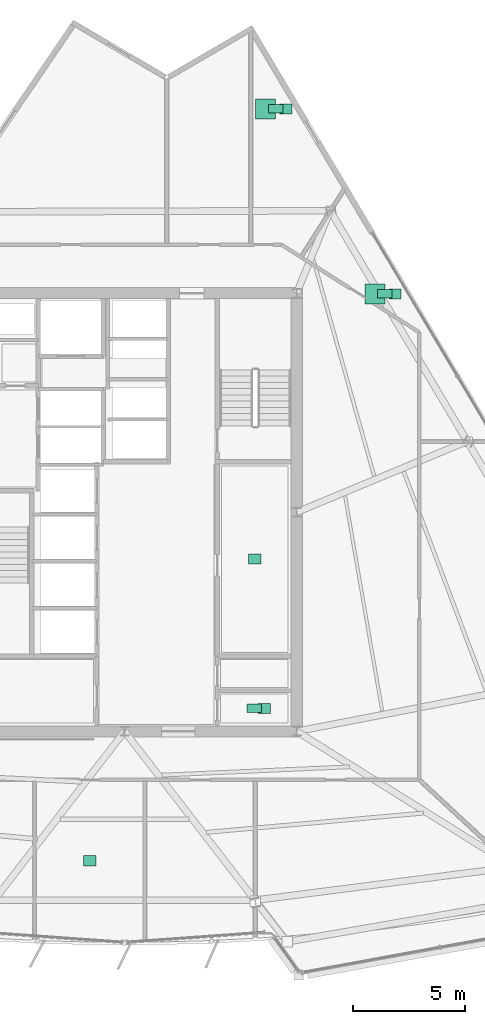
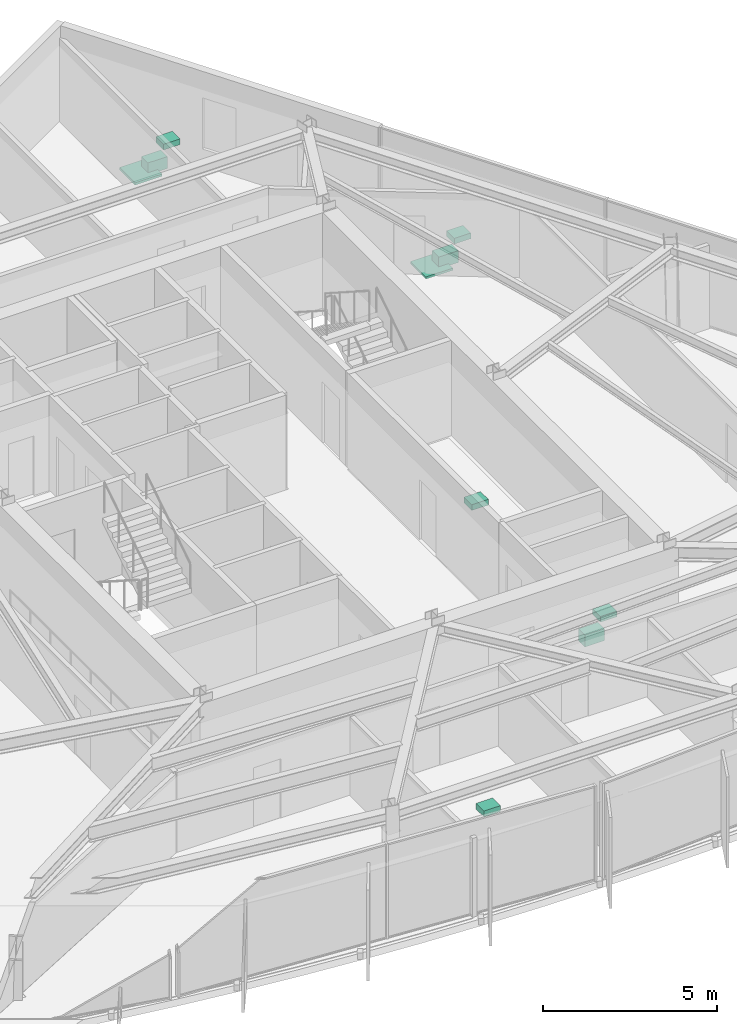
# One storey, part 12 of 12: 10 sanitary terminals.
"""IFC4 building model written with IfcOpenShell, lengths in metres."""

from ifc_helpers import new_model, si_unit, direction, frame, origin, origin_2d, place, context, subcontext, project, spatial, rectangle, extrude, material, type_object, element, save


model = new_model("IFC4")

# Units and contexts
model_context = context("Model", 3, precision=1e-05, world=origin(), true_north=direction((0.0, 1.0)))
body_context = subcontext(model_context, "Body", "Model", "MODEL_VIEW")
ifc_project = project(units=[si_unit("LENGTHUNIT", "METRE"), si_unit("AREAUNIT", "SQUARE_METRE"), si_unit("VOLUMEUNIT", "CUBIC_METRE"), si_unit("PLANEANGLEUNIT", "RADIAN"), si_unit("MASSUNIT", "GRAM", prefix="KILO")], contexts=[model_context])

# Site, building, storey
site_placement = place(None, origin())
site = spatial("IfcSite", under=ifc_project, at=site_placement, CompositionType="ELEMENT")
building_placement = place(site_placement, origin())
building = spatial("IfcBuilding", under=site, at=building_placement, Name="Savorim Split Tower", CompositionType="ELEMENT")
storey_placement = place(building_placement, frame((0.0, 0.0, 171.0)))
storey = spatial("IfcBuildingStorey", under=building, at=storey_placement, Name="L45", CompositionType="ELEMENT", Elevation=171.0)

# Sanitary terminals
ifc_material = material(Name="Vitreous China Sanitaryware")
sanitary_terminal_type_1 = type_object("IfcSanitaryTerminalType", Name="SAN-SHW-900", PredefinedType="SHOWER", material=ifc_material)
for number, where, z_axis, x_axis, name in (
    (1, (11.193359375, 10.162353515625, 0.0), (0.0, 0.0, 1.0), (1.0, 0.0, 0.0), "L45 Shared Bathroom Shower"),
    (2, (6.30615234375, 18.435302734375, 0.0), (0.0, 0.0, 1.0), (1.0, 0.0, 0.0), "L45 Shared Bathroom Shower"),
):
    element("IfcSanitaryTerminal", number, at=place(storey_placement, frame(where, z_axis=z_axis, x_axis=x_axis)), inside=storey, type_object=sanitary_terminal_type_1, Name=name, PredefinedType="SHOWER", context=body_context, shape_type="SweptSolid", body=[
        extrude(rectangle(XDim=0.89990234375, YDim=0.89990234375, at=origin_2d()), origin(), (0.0, 0.0, 1.0), 0.080078125),
    ])
sanitary_terminal_type_2 = type_object("IfcSanitaryTerminalType", Name="SAN-WC-PAN", PredefinedType="TOILETPAN", material=ifc_material)
for number, where, z_axis, x_axis, name in (
    (3, (5.800048828125, -8.3701171875, 0.0), (0.0, 0.0, 1.0), (1.0, 0.0, 0.0), "L45 Accessible WC WC Pan"),
    (4, (11.643310546875, 10.162353515625, 0.0), (0.0, 0.0, 1.0), (1.0, 0.0, 0.0), "L45 Shared Bathroom WC Pan"),
    (5, (6.756103515625, 18.435302734375, 0.0), (0.0, 0.0, 1.0), (1.0, 0.0, 0.0), "L45 Shared Bathroom WC Pan"),
):
    element("IfcSanitaryTerminal", number, at=place(storey_placement, frame(where, z_axis=z_axis, x_axis=x_axis)), inside=storey, type_object=sanitary_terminal_type_2, Name=name, PredefinedType="TOILETPAN", context=body_context, shape_type="SweptSolid", body=[
        extrude(rectangle(XDim=0.64990234375, YDim=0.3798828125, at=origin_2d()), origin(), (0.0, 0.0, 1.0), 0.419921875),
    ])
sanitary_terminal_type_3 = type_object("IfcSanitaryTerminalType", Name="SAN-WHB-550", PredefinedType="WASHHANDBASIN", material=ifc_material)
for number, where, z_axis, x_axis, name in (
    (6, (5.824951171875, -1.699951171875, 0.75), (0.0, 0.0, 1.0), (1.0, 0.0, 0.0), "L45 Community Laundry Room Utility Sink"),
    (7, (6.25, -8.3701171875, 0.72021484375), (0.0, 0.0, 1.0), (1.0, 0.0, 0.0), "L45 Accessible WC Washhand Basin"),
    (8, (-1.559814453125, -15.18505859375, 0.75), (0.0, 0.0, 1.0), (1.0, 0.0, 0.0), "L45 Shared Kitchen Utility Sink"),
    (9, (12.093505859375, 10.162353515625, 0.72021484375), (0.0, 0.0, 1.0), (1.0, 0.0, 0.0), "L45 Shared Bathroom Washhand Basin"),
    (10, (7.206298828125, 18.435302734375, 0.72021484375), (0.0, 0.0, 1.0), (1.0, 0.0, 0.0), "L45 Shared Bathroom Washhand Basin"),
):
    element("IfcSanitaryTerminal", number, at=place(storey_placement, frame(where, z_axis=z_axis, x_axis=x_axis)), inside=storey, type_object=sanitary_terminal_type_3, Name=name, PredefinedType="WASHHANDBASIN", context=body_context, shape_type="SweptSolid", body=[
        extrude(rectangle(XDim=0.550048828125, YDim=0.449951171875, at=origin_2d()), origin(), (0.0, 0.0, 1.0), 0.199951171875),
    ])

save(model, "model.ifc")
